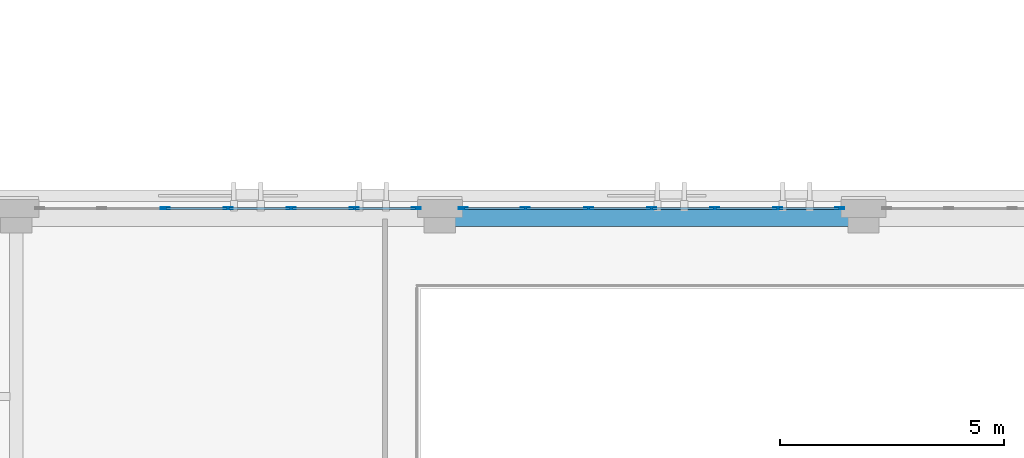
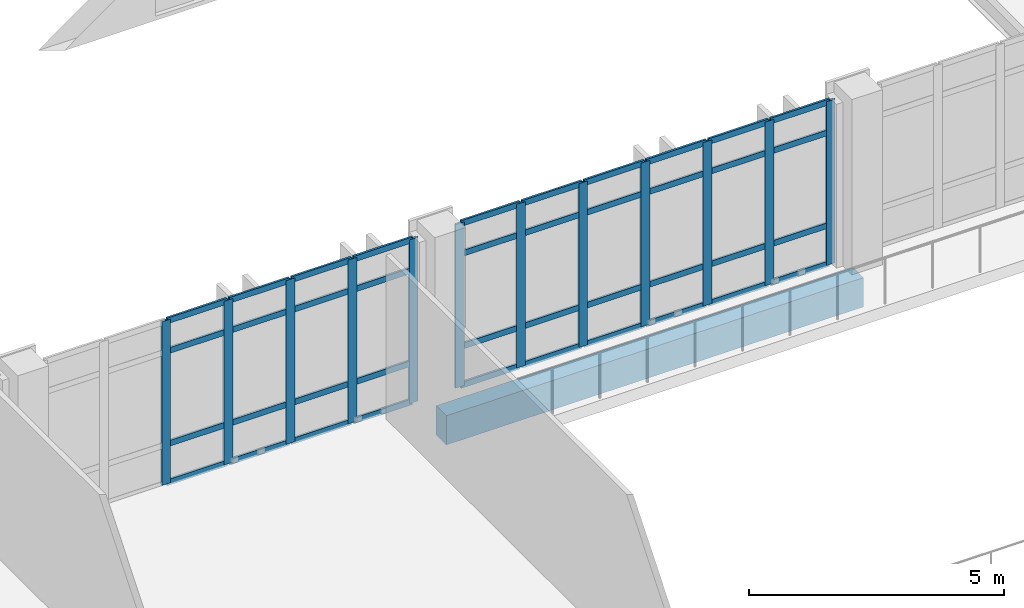
# One storey, part 48 of 158: 52 members, 1 beam, 2 elements without a shape of their own.
"""IFC4 building model written with IfcOpenShell, lengths in metres."""

from ifc_helpers import new_model, si_unit, direction, frame, origin, origin_2d, place, context, subcontext, project, spatial, rectangle, hollow_rectangle, extrude, material, layer, layer_set, material_profile, profile_set, type_object, element, aggregate, save


model = new_model("IFC4")

# Units and contexts
model_context = context("Model", 3, precision=1e-05, world=origin(), true_north=direction((0.0, 1.0)))
body_context = subcontext(model_context, "Body", "Model", "MODEL_VIEW")
ifc_project = project(units=[si_unit("LENGTHUNIT", "METRE"), si_unit("AREAUNIT", "SQUARE_METRE"), si_unit("VOLUMEUNIT", "CUBIC_METRE"), si_unit("PLANEANGLEUNIT", "RADIAN"), si_unit("MASSUNIT", "GRAM", prefix="KILO")], contexts=[model_context])

# Site, building, storey
site_placement = place(None, origin())
site = spatial("IfcSite", under=ifc_project, at=site_placement, CompositionType="ELEMENT")
building_placement = place(site_placement, origin())
building = spatial("IfcBuilding", under=site, at=building_placement, Name="Qalavern Law Courts", CompositionType="ELEMENT")
storey_placement = place(building_placement, frame((0.0, 0.0, 18.60009765625)))
storey = spatial("IfcBuildingStorey", under=building, at=storey_placement, Name="L04", CompositionType="ELEMENT", Elevation=18.60009765625)

# Curtain wall, members
ifc_material_1 = material(Name="Anodised aluminium and insulated glazing", Category="aluminium")
ifc_layer = layer(ifc_material_1, 0.18505859375)
ifc_layer_set = layer_set([ifc_layer], Name="Anodised aluminium and insulated glazing")
curtain_wall_type = type_object("IfcCurtainWallType", Name="ENV-CW-HALL", PredefinedType="USERDEFINED", material=ifc_layer_set)
curtain_wall_1_placement = place(storey_placement, origin())
curtain_wall_1 = element("IfcCurtainWall", 1, at=curtain_wall_1_placement, inside=storey, type_object=curtain_wall_type, Name="V2 unitised curtain wall L04 north 3", ObjectType="UNITISED CURTAIN WALL", PredefinedType="USERDEFINED")
ifc_material_2 = material(Name="Anodised aluminium", Category="aluminium")
ifc_material_profile_1 = material_profile(ifc_material_2, hollow_rectangle(XDim=0.048095703125, YDim=0.199951171875, WallThickness=0.00439453125, at=origin_2d()), Name="ALU MULLION 48x200")
ifc_profile_set_1 = profile_set([ifc_material_profile_1], Name="Anodised aluminium")
member_type_1 = type_object("IfcMemberType", Name="ENV-CWM-48x200", PredefinedType="MULLION", material=ifc_profile_set_1)
member_1_placement = place(storey_placement, frame((81.367431640625, 30.199951171875, 0.0), z_axis=(0.0, 0.0, 1.0), x_axis=(0.0, -1.0, 0.0)))
member_1 = element("IfcMember", 2, at=member_1_placement, type_object=member_type_1, Name="CW-02 mullion 1", PredefinedType="MULLION", context=body_context, shape_type="SweptSolid", body=[
    extrude(hollow_rectangle(XDim=0.048095703125, YDim=0.199951171875, WallThickness=0.00439453125, at=origin_2d()), origin(), (0.0, 0.0, 1.0), 3.9248046875),
])
member_2_placement = place(storey_placement, frame((79.982421875, 30.199951171875, 0.0), z_axis=(0.0, 0.0, 1.0), x_axis=(0.0, -1.0, 0.0)))
member_2 = element("IfcMember", 3, at=member_2_placement, type_object=member_type_1, Name="CW-02 mullion 2", PredefinedType="MULLION", context=body_context, shape_type="SweptSolid", body=[
    extrude(hollow_rectangle(XDim=0.048095703125, YDim=0.199951171875, WallThickness=0.00439453125, at=origin_2d()), origin(), (0.0, 0.0, 1.0), 3.9248046875),
])
member_3_placement = place(storey_placement, frame((78.5732421875, 30.199951171875, 0.0), z_axis=(0.0, 0.0, 1.0), x_axis=(0.0, -1.0, 0.0)))
member_3 = element("IfcMember", 4, at=member_3_placement, type_object=member_type_1, Name="CW-02 mullion 3", PredefinedType="MULLION", context=body_context, shape_type="SweptSolid", body=[
    extrude(hollow_rectangle(XDim=0.048095703125, YDim=0.199951171875, WallThickness=0.00439453125, at=origin_2d()), origin(), (0.0, 0.0, 1.0), 3.9248046875),
])
member_4_placement = place(storey_placement, frame((77.164306640625, 30.199951171875, 0.0), z_axis=(0.0, 0.0, 1.0), x_axis=(0.0, -1.0, 0.0)))
member_4 = element("IfcMember", 5, at=member_4_placement, type_object=member_type_1, Name="CW-02 mullion 4", PredefinedType="MULLION", context=body_context, shape_type="SweptSolid", body=[
    extrude(hollow_rectangle(XDim=0.048095703125, YDim=0.199951171875, WallThickness=0.00439453125, at=origin_2d()), origin(), (0.0, 0.0, 1.0), 3.9248046875),
])
member_5_placement = place(storey_placement, frame((75.755126953125, 30.199951171875, 0.0), z_axis=(0.0, 0.0, 1.0), x_axis=(0.0, -1.0, 0.0)))
member_5 = element("IfcMember", 6, at=member_5_placement, type_object=member_type_1, Name="CW-02 mullion 5", PredefinedType="MULLION", context=body_context, shape_type="SweptSolid", body=[
    extrude(hollow_rectangle(XDim=0.048095703125, YDim=0.199951171875, WallThickness=0.00439453125, at=origin_2d()), origin(), (0.0, 0.0, 1.0), 3.9248046875),
])
member_6_placement = place(storey_placement, frame((74.34619140625, 30.199951171875, 0.0), z_axis=(0.0, 0.0, 1.0), x_axis=(0.0, -1.0, 0.0)))
member_6 = element("IfcMember", 7, at=member_6_placement, type_object=member_type_1, Name="CW-02 mullion 6", PredefinedType="MULLION", context=body_context, shape_type="SweptSolid", body=[
    extrude(hollow_rectangle(XDim=0.048095703125, YDim=0.199951171875, WallThickness=0.00439453125, at=origin_2d()), origin(), (0.0, 0.0, 1.0), 3.9248046875),
])
member_7_placement = place(storey_placement, frame((72.961181640625, 30.199951171875, 0.0), z_axis=(0.0, 0.0, 1.0), x_axis=(0.0, -1.0, 0.0)))
member_7 = element("IfcMember", 8, at=member_7_placement, type_object=member_type_1, Name="CW-02 mullion 7", PredefinedType="MULLION", context=body_context, shape_type="SweptSolid", body=[
    extrude(hollow_rectangle(XDim=0.048095703125, YDim=0.199951171875, WallThickness=0.00439453125, at=origin_2d()), origin(), (0.0, 0.0, 1.0), 3.9248046875),
])

curtain_wall_2_placement = place(storey_placement, origin())
curtain_wall_2 = element("IfcCurtainWall", 9, at=curtain_wall_2_placement, inside=storey, type_object=curtain_wall_type, Name="V2 unitised curtain wall L04 north 4", ObjectType="UNITISED CURTAIN WALL", PredefinedType="USERDEFINED")
member_8_placement = place(storey_placement, frame((71.9130859375, 30.199951171875, 0.0), z_axis=(0.0, 0.0, 1.0), x_axis=(0.0, -1.0, 0.0)))
member_8 = element("IfcMember", 10, at=member_8_placement, type_object=member_type_1, Name="CW-02 mullion 1", PredefinedType="MULLION", context=body_context, shape_type="SweptSolid", body=[
    extrude(hollow_rectangle(XDim=0.048095703125, YDim=0.199951171875, WallThickness=0.00439453125, at=origin_2d()), origin(), (0.0, 0.0, 1.0), 3.9248046875),
])
member_9_placement = place(storey_placement, frame((70.528076171875, 30.199951171875, 0.0), z_axis=(0.0, 0.0, 1.0), x_axis=(0.0, -1.0, 0.0)))
member_9 = element("IfcMember", 11, at=member_9_placement, type_object=member_type_1, Name="CW-02 mullion 2", PredefinedType="MULLION", context=body_context, shape_type="SweptSolid", body=[
    extrude(hollow_rectangle(XDim=0.048095703125, YDim=0.199951171875, WallThickness=0.00439453125, at=origin_2d()), origin(), (0.0, 0.0, 1.0), 3.9248046875),
])
member_10_placement = place(storey_placement, frame((69.119140625, 30.199951171875, 0.0), z_axis=(0.0, 0.0, 1.0), x_axis=(0.0, -1.0, 0.0)))
member_10 = element("IfcMember", 12, at=member_10_placement, type_object=member_type_1, Name="CW-02 mullion 3", PredefinedType="MULLION", context=body_context, shape_type="SweptSolid", body=[
    extrude(hollow_rectangle(XDim=0.048095703125, YDim=0.199951171875, WallThickness=0.00439453125, at=origin_2d()), origin(), (0.0, 0.0, 1.0), 3.9248046875),
])
member_11_placement = place(storey_placement, frame((67.7099609375, 30.199951171875, 0.0), z_axis=(0.0, 0.0, 1.0), x_axis=(0.0, -1.0, 0.0)))
member_11 = element("IfcMember", 13, at=member_11_placement, type_object=member_type_1, Name="CW-02 mullion 4", PredefinedType="MULLION", context=body_context, shape_type="SweptSolid", body=[
    extrude(hollow_rectangle(XDim=0.048095703125, YDim=0.199951171875, WallThickness=0.00439453125, at=origin_2d()), origin(), (0.0, 0.0, 1.0), 3.9248046875),
])
member_12_placement = place(storey_placement, frame((66.301025390625, 30.199951171875, 0.0), z_axis=(0.0, 0.0, 1.0), x_axis=(0.0, -1.0, 0.0)))
member_12 = element("IfcMember", 14, at=member_12_placement, type_object=member_type_1, Name="CW-02 mullion 5", PredefinedType="MULLION", context=body_context, shape_type="SweptSolid", body=[
    extrude(hollow_rectangle(XDim=0.048095703125, YDim=0.199951171875, WallThickness=0.00439453125, at=origin_2d()), origin(), (0.0, 0.0, 1.0), 3.9248046875),
])

# Member
ifc_material_profile_2 = material_profile(ifc_material_2, hollow_rectangle(XDim=0.048095703125, YDim=0.139892578125, WallThickness=0.00390625, at=origin_2d()), Name="ALU TRANSOM 48x140")
ifc_profile_set_2 = profile_set([ifc_material_profile_2], Name="Anodised aluminium")
member_type_2 = type_object("IfcMemberType", Name="ENV-CWT-48x140", PredefinedType="USERDEFINED", material=ifc_profile_set_2)
member_13_placement = place(storey_placement, frame((81.343505859375, 30.199951171875, 0.02392578125), z_axis=(-1.0, 0.0, 0.0), x_axis=(0.0, -1.0, 0.0)))
member_13 = element("IfcMember", 15, at=member_13_placement, type_object=member_type_2, Name="CW-02 transom 1.1", ObjectType="TRANSOM", PredefinedType="USERDEFINED", context=body_context, shape_type="SweptSolid", body=[
    extrude(hollow_rectangle(XDim=0.048095703125, YDim=0.139892578125, WallThickness=0.00390625, at=origin_2d()), origin(), (0.0, 0.0, 1.0), 1.337158203125),
])

member_14_placement = place(storey_placement, frame((81.343505859375, 30.199951171875, 0.949951171875), z_axis=(-1.0, 0.0, 0.0), x_axis=(0.0, -1.0, 0.0)))
member_14 = element("IfcMember", 16, at=member_14_placement, type_object=member_type_2, Name="CW-02 transom 1.2", ObjectType="TRANSOM", PredefinedType="USERDEFINED", context=body_context, shape_type="SweptSolid", body=[
    extrude(hollow_rectangle(XDim=0.048095703125, YDim=0.139892578125, WallThickness=0.00390625, at=origin_2d()), origin(), (0.0, 0.0, 1.0), 1.337158203125),
])

member_15_placement = place(storey_placement, frame((81.343505859375, 30.199951171875, 3.1748046875), z_axis=(-1.0, 0.0, 0.0), x_axis=(0.0, -1.0, 0.0)))
member_15 = element("IfcMember", 17, at=member_15_placement, type_object=member_type_2, Name="CW-02 transom 1.3", ObjectType="TRANSOM", PredefinedType="USERDEFINED", context=body_context, shape_type="SweptSolid", body=[
    extrude(hollow_rectangle(XDim=0.048095703125, YDim=0.139892578125, WallThickness=0.00390625, at=origin_2d()), origin(), (0.0, 0.0, 1.0), 1.337158203125),
])

member_16_placement = place(storey_placement, frame((81.343505859375, 30.199951171875, 3.90087890625), z_axis=(-1.0, 0.0, 0.0), x_axis=(0.0, -1.0, 0.0)))
member_16 = element("IfcMember", 18, at=member_16_placement, type_object=member_type_2, Name="CW-02 transom 1.4", ObjectType="TRANSOM", PredefinedType="USERDEFINED", context=body_context, shape_type="SweptSolid", body=[
    extrude(hollow_rectangle(XDim=0.048095703125, YDim=0.139892578125, WallThickness=0.00390625, at=origin_2d()), origin(), (0.0, 0.0, 1.0), 1.337158203125),
])

member_17_placement = place(storey_placement, frame((79.958251953125, 30.199951171875, 0.02392578125), z_axis=(-1.0, 0.0, 0.0), x_axis=(0.0, -1.0, 0.0)))
member_17 = element("IfcMember", 19, at=member_17_placement, type_object=member_type_2, Name="CW-02 transom 2.1", ObjectType="TRANSOM", PredefinedType="USERDEFINED", context=body_context, shape_type="SweptSolid", body=[
    extrude(hollow_rectangle(XDim=0.048095703125, YDim=0.139892578125, WallThickness=0.00390625, at=origin_2d()), origin(), (0.0, 0.0, 1.0), 1.36083984375),
])

member_18_placement = place(storey_placement, frame((79.958251953125, 30.199951171875, 0.949951171875), z_axis=(-1.0, 0.0, 0.0), x_axis=(0.0, -1.0, 0.0)))
member_18 = element("IfcMember", 20, at=member_18_placement, type_object=member_type_2, Name="CW-02 transom 2.2", ObjectType="TRANSOM", PredefinedType="USERDEFINED", context=body_context, shape_type="SweptSolid", body=[
    extrude(hollow_rectangle(XDim=0.048095703125, YDim=0.139892578125, WallThickness=0.00390625, at=origin_2d()), origin(), (0.0, 0.0, 1.0), 1.36083984375),
])

member_19_placement = place(storey_placement, frame((79.958251953125, 30.199951171875, 3.1748046875), z_axis=(-1.0, 0.0, 0.0), x_axis=(0.0, -1.0, 0.0)))
member_19 = element("IfcMember", 21, at=member_19_placement, type_object=member_type_2, Name="CW-02 transom 2.3", ObjectType="TRANSOM", PredefinedType="USERDEFINED", context=body_context, shape_type="SweptSolid", body=[
    extrude(hollow_rectangle(XDim=0.048095703125, YDim=0.139892578125, WallThickness=0.00390625, at=origin_2d()), origin(), (0.0, 0.0, 1.0), 1.36083984375),
])

member_20_placement = place(storey_placement, frame((79.958251953125, 30.199951171875, 3.90087890625), z_axis=(-1.0, 0.0, 0.0), x_axis=(0.0, -1.0, 0.0)))
member_20 = element("IfcMember", 22, at=member_20_placement, type_object=member_type_2, Name="CW-02 transom 2.4", ObjectType="TRANSOM", PredefinedType="USERDEFINED", context=body_context, shape_type="SweptSolid", body=[
    extrude(hollow_rectangle(XDim=0.048095703125, YDim=0.139892578125, WallThickness=0.00390625, at=origin_2d()), origin(), (0.0, 0.0, 1.0), 1.36083984375),
])

member_21_placement = place(storey_placement, frame((78.54931640625, 30.199951171875, 0.02392578125), z_axis=(-1.0, 0.0, 0.0), x_axis=(0.0, -1.0, 0.0)))
member_21 = element("IfcMember", 23, at=member_21_placement, type_object=member_type_2, Name="CW-02 transom 3.1", ObjectType="TRANSOM", PredefinedType="USERDEFINED", context=body_context, shape_type="SweptSolid", body=[
    extrude(hollow_rectangle(XDim=0.048095703125, YDim=0.139892578125, WallThickness=0.00390625, at=origin_2d()), origin(), (0.0, 0.0, 1.0), 1.361083984375),
])

member_22_placement = place(storey_placement, frame((78.54931640625, 30.199951171875, 0.949951171875), z_axis=(-1.0, 0.0, 0.0), x_axis=(0.0, -1.0, 0.0)))
member_22 = element("IfcMember", 24, at=member_22_placement, type_object=member_type_2, Name="CW-02 transom 3.2", ObjectType="TRANSOM", PredefinedType="USERDEFINED", context=body_context, shape_type="SweptSolid", body=[
    extrude(hollow_rectangle(XDim=0.048095703125, YDim=0.139892578125, WallThickness=0.00390625, at=origin_2d()), origin(), (0.0, 0.0, 1.0), 1.361083984375),
])

member_23_placement = place(storey_placement, frame((78.54931640625, 30.199951171875, 3.1748046875), z_axis=(-1.0, 0.0, 0.0), x_axis=(0.0, -1.0, 0.0)))
member_23 = element("IfcMember", 25, at=member_23_placement, type_object=member_type_2, Name="CW-02 transom 3.3", ObjectType="TRANSOM", PredefinedType="USERDEFINED", context=body_context, shape_type="SweptSolid", body=[
    extrude(hollow_rectangle(XDim=0.048095703125, YDim=0.139892578125, WallThickness=0.00390625, at=origin_2d()), origin(), (0.0, 0.0, 1.0), 1.361083984375),
])

member_24_placement = place(storey_placement, frame((78.54931640625, 30.199951171875, 3.90087890625), z_axis=(-1.0, 0.0, 0.0), x_axis=(0.0, -1.0, 0.0)))
member_24 = element("IfcMember", 26, at=member_24_placement, type_object=member_type_2, Name="CW-02 transom 3.4", ObjectType="TRANSOM", PredefinedType="USERDEFINED", context=body_context, shape_type="SweptSolid", body=[
    extrude(hollow_rectangle(XDim=0.048095703125, YDim=0.139892578125, WallThickness=0.00390625, at=origin_2d()), origin(), (0.0, 0.0, 1.0), 1.361083984375),
])

member_25_placement = place(storey_placement, frame((77.14013671875, 30.199951171875, 0.02392578125), z_axis=(-1.0, 0.0, 0.0), x_axis=(0.0, -1.0, 0.0)))
member_25 = element("IfcMember", 27, at=member_25_placement, type_object=member_type_2, Name="CW-02 transom 4.1", ObjectType="TRANSOM", PredefinedType="USERDEFINED", context=body_context, shape_type="SweptSolid", body=[
    extrude(hollow_rectangle(XDim=0.048095703125, YDim=0.139892578125, WallThickness=0.00390625, at=origin_2d()), origin(), (0.0, 0.0, 1.0), 1.36083984375),
])

member_26_placement = place(storey_placement, frame((77.14013671875, 30.199951171875, 0.949951171875), z_axis=(-1.0, 0.0, 0.0), x_axis=(0.0, -1.0, 0.0)))
member_26 = element("IfcMember", 28, at=member_26_placement, type_object=member_type_2, Name="CW-02 transom 4.2", ObjectType="TRANSOM", PredefinedType="USERDEFINED", context=body_context, shape_type="SweptSolid", body=[
    extrude(hollow_rectangle(XDim=0.048095703125, YDim=0.139892578125, WallThickness=0.00390625, at=origin_2d()), origin(), (0.0, 0.0, 1.0), 1.36083984375),
])

member_27_placement = place(storey_placement, frame((77.14013671875, 30.199951171875, 3.1748046875), z_axis=(-1.0, 0.0, 0.0), x_axis=(0.0, -1.0, 0.0)))
member_27 = element("IfcMember", 29, at=member_27_placement, type_object=member_type_2, Name="CW-02 transom 4.3", ObjectType="TRANSOM", PredefinedType="USERDEFINED", context=body_context, shape_type="SweptSolid", body=[
    extrude(hollow_rectangle(XDim=0.048095703125, YDim=0.139892578125, WallThickness=0.00390625, at=origin_2d()), origin(), (0.0, 0.0, 1.0), 1.36083984375),
])

member_28_placement = place(storey_placement, frame((77.14013671875, 30.199951171875, 3.90087890625), z_axis=(-1.0, 0.0, 0.0), x_axis=(0.0, -1.0, 0.0)))
member_28 = element("IfcMember", 30, at=member_28_placement, type_object=member_type_2, Name="CW-02 transom 4.4", ObjectType="TRANSOM", PredefinedType="USERDEFINED", context=body_context, shape_type="SweptSolid", body=[
    extrude(hollow_rectangle(XDim=0.048095703125, YDim=0.139892578125, WallThickness=0.00390625, at=origin_2d()), origin(), (0.0, 0.0, 1.0), 1.36083984375),
])

member_29_placement = place(storey_placement, frame((75.731201171875, 30.199951171875, 0.02392578125), z_axis=(-1.0, 0.0, 0.0), x_axis=(0.0, -1.0, 0.0)))
member_29 = element("IfcMember", 31, at=member_29_placement, type_object=member_type_2, Name="CW-02 transom 5.1", ObjectType="TRANSOM", PredefinedType="USERDEFINED", context=body_context, shape_type="SweptSolid", body=[
    extrude(hollow_rectangle(XDim=0.048095703125, YDim=0.139892578125, WallThickness=0.00390625, at=origin_2d()), origin(), (0.0, 0.0, 1.0), 1.361083984375),
])

member_30_placement = place(storey_placement, frame((75.731201171875, 30.199951171875, 0.949951171875), z_axis=(-1.0, 0.0, 0.0), x_axis=(0.0, -1.0, 0.0)))
member_30 = element("IfcMember", 32, at=member_30_placement, type_object=member_type_2, Name="CW-02 transom 5.2", ObjectType="TRANSOM", PredefinedType="USERDEFINED", context=body_context, shape_type="SweptSolid", body=[
    extrude(hollow_rectangle(XDim=0.048095703125, YDim=0.139892578125, WallThickness=0.00390625, at=origin_2d()), origin(), (0.0, 0.0, 1.0), 1.361083984375),
])

member_31_placement = place(storey_placement, frame((75.731201171875, 30.199951171875, 3.1748046875), z_axis=(-1.0, 0.0, 0.0), x_axis=(0.0, -1.0, 0.0)))
member_31 = element("IfcMember", 33, at=member_31_placement, type_object=member_type_2, Name="CW-02 transom 5.3", ObjectType="TRANSOM", PredefinedType="USERDEFINED", context=body_context, shape_type="SweptSolid", body=[
    extrude(hollow_rectangle(XDim=0.048095703125, YDim=0.139892578125, WallThickness=0.00390625, at=origin_2d()), origin(), (0.0, 0.0, 1.0), 1.361083984375),
])

member_32_placement = place(storey_placement, frame((75.731201171875, 30.199951171875, 3.90087890625), z_axis=(-1.0, 0.0, 0.0), x_axis=(0.0, -1.0, 0.0)))
member_32 = element("IfcMember", 34, at=member_32_placement, type_object=member_type_2, Name="CW-02 transom 5.4", ObjectType="TRANSOM", PredefinedType="USERDEFINED", context=body_context, shape_type="SweptSolid", body=[
    extrude(hollow_rectangle(XDim=0.048095703125, YDim=0.139892578125, WallThickness=0.00390625, at=origin_2d()), origin(), (0.0, 0.0, 1.0), 1.361083984375),
])

member_33_placement = place(storey_placement, frame((74.322265625, 30.199951171875, 0.02392578125), z_axis=(-1.0, 0.0, 0.0), x_axis=(0.0, -1.0, 0.0)))
member_33 = element("IfcMember", 35, at=member_33_placement, type_object=member_type_2, Name="CW-02 transom 6.1", ObjectType="TRANSOM", PredefinedType="USERDEFINED", context=body_context, shape_type="SweptSolid", body=[
    extrude(hollow_rectangle(XDim=0.048095703125, YDim=0.139892578125, WallThickness=0.00390625, at=origin_2d()), origin(), (0.0, 0.0, 1.0), 1.337158203125),
])

member_34_placement = place(storey_placement, frame((74.322265625, 30.199951171875, 0.949951171875), z_axis=(-1.0, 0.0, 0.0), x_axis=(0.0, -1.0, 0.0)))
member_34 = element("IfcMember", 36, at=member_34_placement, type_object=member_type_2, Name="CW-02 transom 6.2", ObjectType="TRANSOM", PredefinedType="USERDEFINED", context=body_context, shape_type="SweptSolid", body=[
    extrude(hollow_rectangle(XDim=0.048095703125, YDim=0.139892578125, WallThickness=0.00390625, at=origin_2d()), origin(), (0.0, 0.0, 1.0), 1.337158203125),
])

member_35_placement = place(storey_placement, frame((74.322265625, 30.199951171875, 3.1748046875), z_axis=(-1.0, 0.0, 0.0), x_axis=(0.0, -1.0, 0.0)))
member_35 = element("IfcMember", 37, at=member_35_placement, type_object=member_type_2, Name="CW-02 transom 6.3", ObjectType="TRANSOM", PredefinedType="USERDEFINED", context=body_context, shape_type="SweptSolid", body=[
    extrude(hollow_rectangle(XDim=0.048095703125, YDim=0.139892578125, WallThickness=0.00390625, at=origin_2d()), origin(), (0.0, 0.0, 1.0), 1.337158203125),
])

member_36_placement = place(storey_placement, frame((74.322265625, 30.199951171875, 3.90087890625), z_axis=(-1.0, 0.0, 0.0), x_axis=(0.0, -1.0, 0.0)))
member_36 = element("IfcMember", 38, at=member_36_placement, type_object=member_type_2, Name="CW-02 transom 6.4", ObjectType="TRANSOM", PredefinedType="USERDEFINED", context=body_context, shape_type="SweptSolid", body=[
    extrude(hollow_rectangle(XDim=0.048095703125, YDim=0.139892578125, WallThickness=0.00390625, at=origin_2d()), origin(), (0.0, 0.0, 1.0), 1.337158203125),
])

aggregate(curtain_wall_1, [member_1, member_2, member_3, member_4, member_5, member_6, member_7, member_13, member_14, member_15, member_16, member_17, member_18, member_19, member_20, member_21, member_22, member_23, member_24, member_25, member_26, member_27, member_28, member_29, member_30, member_31, member_32, member_33, member_34, member_35, member_36])

member_37_placement = place(storey_placement, frame((71.88916015625, 30.199951171875, 0.02392578125), z_axis=(-1.0, 0.0, 0.0), x_axis=(0.0, -1.0, 0.0)))
member_37 = element("IfcMember", 39, at=member_37_placement, type_object=member_type_2, Name="CW-02 transom 1.1", ObjectType="TRANSOM", PredefinedType="USERDEFINED", context=body_context, shape_type="SweptSolid", body=[
    extrude(hollow_rectangle(XDim=0.048095703125, YDim=0.139892578125, WallThickness=0.00390625, at=origin_2d()), origin(), (0.0, 0.0, 1.0), 1.337158203125),
])

member_38_placement = place(storey_placement, frame((71.88916015625, 30.199951171875, 0.949951171875), z_axis=(-1.0, 0.0, 0.0), x_axis=(0.0, -1.0, 0.0)))
member_38 = element("IfcMember", 40, at=member_38_placement, type_object=member_type_2, Name="CW-02 transom 1.2", ObjectType="TRANSOM", PredefinedType="USERDEFINED", context=body_context, shape_type="SweptSolid", body=[
    extrude(hollow_rectangle(XDim=0.048095703125, YDim=0.139892578125, WallThickness=0.00390625, at=origin_2d()), origin(), (0.0, 0.0, 1.0), 1.337158203125),
])

member_39_placement = place(storey_placement, frame((71.88916015625, 30.199951171875, 3.1748046875), z_axis=(-1.0, 0.0, 0.0), x_axis=(0.0, -1.0, 0.0)))
member_39 = element("IfcMember", 41, at=member_39_placement, type_object=member_type_2, Name="CW-02 transom 1.3", ObjectType="TRANSOM", PredefinedType="USERDEFINED", context=body_context, shape_type="SweptSolid", body=[
    extrude(hollow_rectangle(XDim=0.048095703125, YDim=0.139892578125, WallThickness=0.00390625, at=origin_2d()), origin(), (0.0, 0.0, 1.0), 1.337158203125),
])

member_40_placement = place(storey_placement, frame((71.88916015625, 30.199951171875, 3.90087890625), z_axis=(-1.0, 0.0, 0.0), x_axis=(0.0, -1.0, 0.0)))
member_40 = element("IfcMember", 42, at=member_40_placement, type_object=member_type_2, Name="CW-02 transom 1.4", ObjectType="TRANSOM", PredefinedType="USERDEFINED", context=body_context, shape_type="SweptSolid", body=[
    extrude(hollow_rectangle(XDim=0.048095703125, YDim=0.139892578125, WallThickness=0.00390625, at=origin_2d()), origin(), (0.0, 0.0, 1.0), 1.337158203125),
])

member_41_placement = place(storey_placement, frame((70.504150390625, 30.199951171875, 0.02392578125), z_axis=(-1.0, 0.0, 0.0), x_axis=(0.0, -1.0, 0.0)))
member_41 = element("IfcMember", 43, at=member_41_placement, type_object=member_type_2, Name="CW-02 transom 2.1", ObjectType="TRANSOM", PredefinedType="USERDEFINED", context=body_context, shape_type="SweptSolid", body=[
    extrude(hollow_rectangle(XDim=0.048095703125, YDim=0.139892578125, WallThickness=0.00390625, at=origin_2d()), origin(), (0.0, 0.0, 1.0), 1.361083984375),
])

member_42_placement = place(storey_placement, frame((70.504150390625, 30.199951171875, 0.949951171875), z_axis=(-1.0, 0.0, 0.0), x_axis=(0.0, -1.0, 0.0)))
member_42 = element("IfcMember", 44, at=member_42_placement, type_object=member_type_2, Name="CW-02 transom 2.2", ObjectType="TRANSOM", PredefinedType="USERDEFINED", context=body_context, shape_type="SweptSolid", body=[
    extrude(hollow_rectangle(XDim=0.048095703125, YDim=0.139892578125, WallThickness=0.00390625, at=origin_2d()), origin(), (0.0, 0.0, 1.0), 1.361083984375),
])

member_43_placement = place(storey_placement, frame((70.504150390625, 30.199951171875, 3.1748046875), z_axis=(-1.0, 0.0, 0.0), x_axis=(0.0, -1.0, 0.0)))
member_43 = element("IfcMember", 45, at=member_43_placement, type_object=member_type_2, Name="CW-02 transom 2.3", ObjectType="TRANSOM", PredefinedType="USERDEFINED", context=body_context, shape_type="SweptSolid", body=[
    extrude(hollow_rectangle(XDim=0.048095703125, YDim=0.139892578125, WallThickness=0.00390625, at=origin_2d()), origin(), (0.0, 0.0, 1.0), 1.361083984375),
])

member_44_placement = place(storey_placement, frame((70.504150390625, 30.199951171875, 3.90087890625), z_axis=(-1.0, 0.0, 0.0), x_axis=(0.0, -1.0, 0.0)))
member_44 = element("IfcMember", 46, at=member_44_placement, type_object=member_type_2, Name="CW-02 transom 2.4", ObjectType="TRANSOM", PredefinedType="USERDEFINED", context=body_context, shape_type="SweptSolid", body=[
    extrude(hollow_rectangle(XDim=0.048095703125, YDim=0.139892578125, WallThickness=0.00390625, at=origin_2d()), origin(), (0.0, 0.0, 1.0), 1.361083984375),
])

member_45_placement = place(storey_placement, frame((69.094970703125, 30.199951171875, 0.02392578125), z_axis=(-1.0, 0.0, 0.0), x_axis=(0.0, -1.0, 0.0)))
member_45 = element("IfcMember", 47, at=member_45_placement, type_object=member_type_2, Name="CW-02 transom 3.1", ObjectType="TRANSOM", PredefinedType="USERDEFINED", context=body_context, shape_type="SweptSolid", body=[
    extrude(hollow_rectangle(XDim=0.048095703125, YDim=0.139892578125, WallThickness=0.00390625, at=origin_2d()), origin(), (0.0, 0.0, 1.0), 1.361083984375),
])

member_46_placement = place(storey_placement, frame((69.094970703125, 30.199951171875, 0.949951171875), z_axis=(-1.0, 0.0, 0.0), x_axis=(0.0, -1.0, 0.0)))
member_46 = element("IfcMember", 48, at=member_46_placement, type_object=member_type_2, Name="CW-02 transom 3.2", ObjectType="TRANSOM", PredefinedType="USERDEFINED", context=body_context, shape_type="SweptSolid", body=[
    extrude(hollow_rectangle(XDim=0.048095703125, YDim=0.139892578125, WallThickness=0.00390625, at=origin_2d()), origin(), (0.0, 0.0, 1.0), 1.361083984375),
])

member_47_placement = place(storey_placement, frame((69.094970703125, 30.199951171875, 3.1748046875), z_axis=(-1.0, 0.0, 0.0), x_axis=(0.0, -1.0, 0.0)))
member_47 = element("IfcMember", 49, at=member_47_placement, type_object=member_type_2, Name="CW-02 transom 3.3", ObjectType="TRANSOM", PredefinedType="USERDEFINED", context=body_context, shape_type="SweptSolid", body=[
    extrude(hollow_rectangle(XDim=0.048095703125, YDim=0.139892578125, WallThickness=0.00390625, at=origin_2d()), origin(), (0.0, 0.0, 1.0), 1.361083984375),
])

member_48_placement = place(storey_placement, frame((69.094970703125, 30.199951171875, 3.90087890625), z_axis=(-1.0, 0.0, 0.0), x_axis=(0.0, -1.0, 0.0)))
member_48 = element("IfcMember", 50, at=member_48_placement, type_object=member_type_2, Name="CW-02 transom 3.4", ObjectType="TRANSOM", PredefinedType="USERDEFINED", context=body_context, shape_type="SweptSolid", body=[
    extrude(hollow_rectangle(XDim=0.048095703125, YDim=0.139892578125, WallThickness=0.00390625, at=origin_2d()), origin(), (0.0, 0.0, 1.0), 1.361083984375),
])

member_49_placement = place(storey_placement, frame((67.68603515625, 30.199951171875, 0.02392578125), z_axis=(-1.0, 0.0, 0.0), x_axis=(0.0, -1.0, 0.0)))
member_49 = element("IfcMember", 51, at=member_49_placement, type_object=member_type_2, Name="CW-02 transom 4.1", ObjectType="TRANSOM", PredefinedType="USERDEFINED", context=body_context, shape_type="SweptSolid", body=[
    extrude(hollow_rectangle(XDim=0.048095703125, YDim=0.139892578125, WallThickness=0.00390625, at=origin_2d()), origin(), (0.0, 0.0, 1.0), 1.361083984375),
])

member_50_placement = place(storey_placement, frame((67.68603515625, 30.199951171875, 0.949951171875), z_axis=(-1.0, 0.0, 0.0), x_axis=(0.0, -1.0, 0.0)))
member_50 = element("IfcMember", 52, at=member_50_placement, type_object=member_type_2, Name="CW-02 transom 4.2", ObjectType="TRANSOM", PredefinedType="USERDEFINED", context=body_context, shape_type="SweptSolid", body=[
    extrude(hollow_rectangle(XDim=0.048095703125, YDim=0.139892578125, WallThickness=0.00390625, at=origin_2d()), origin(), (0.0, 0.0, 1.0), 1.361083984375),
])

member_51_placement = place(storey_placement, frame((67.68603515625, 30.199951171875, 3.1748046875), z_axis=(-1.0, 0.0, 0.0), x_axis=(0.0, -1.0, 0.0)))
member_51 = element("IfcMember", 53, at=member_51_placement, type_object=member_type_2, Name="CW-02 transom 4.3", ObjectType="TRANSOM", PredefinedType="USERDEFINED", context=body_context, shape_type="SweptSolid", body=[
    extrude(hollow_rectangle(XDim=0.048095703125, YDim=0.139892578125, WallThickness=0.00390625, at=origin_2d()), origin(), (0.0, 0.0, 1.0), 1.361083984375),
])

member_52_placement = place(storey_placement, frame((67.68603515625, 30.199951171875, 3.90087890625), z_axis=(-1.0, 0.0, 0.0), x_axis=(0.0, -1.0, 0.0)))
member_52 = element("IfcMember", 54, at=member_52_placement, type_object=member_type_2, Name="CW-02 transom 4.4", ObjectType="TRANSOM", PredefinedType="USERDEFINED", context=body_context, shape_type="SweptSolid", body=[
    extrude(hollow_rectangle(XDim=0.048095703125, YDim=0.139892578125, WallThickness=0.00390625, at=origin_2d()), origin(), (0.0, 0.0, 1.0), 1.361083984375),
])

aggregate(curtain_wall_2, [member_8, member_9, member_10, member_11, member_12, member_37, member_38, member_39, member_40, member_41, member_42, member_43, member_44, member_45, member_46, member_47, member_48, member_49, member_50, member_51, member_52])

# Beam
ifc_material_3 = material(Name="Concrete C40/50", Category="concrete")
ifc_material_profile_3 = material_profile(ifc_material_3, rectangle(XDim=0.39990234375, YDim=0.699951171875, at=origin_2d()), Name="RC 400x700")
ifc_profile_set_3 = profile_set([ifc_material_profile_3], Name="Concrete C40/50")
beam_type = type_object("IfcBeamType", Name="STR-SP-RC400x700", PredefinedType="SPANDREL", material=ifc_profile_set_3)
beam_placement = place(storey_placement, frame((72.43701171875, 30.0, -0.630126953125), z_axis=(1.0, 0.0, 0.0), x_axis=(0.0, 1.0, 0.0)))
element("IfcBeam", 55, at=beam_placement, inside=storey, type_object=beam_type, Name="V2 X-beam 4-5 L04", PredefinedType="SPANDREL", context=body_context, shape_type="SweptSolid", body=[
    extrude(rectangle(XDim=0.39990234375, YDim=0.699951171875, at=origin_2d()), origin(), (0.0, 0.0, 1.0), 9.454345703125),
])

save(model, "model.ifc")
